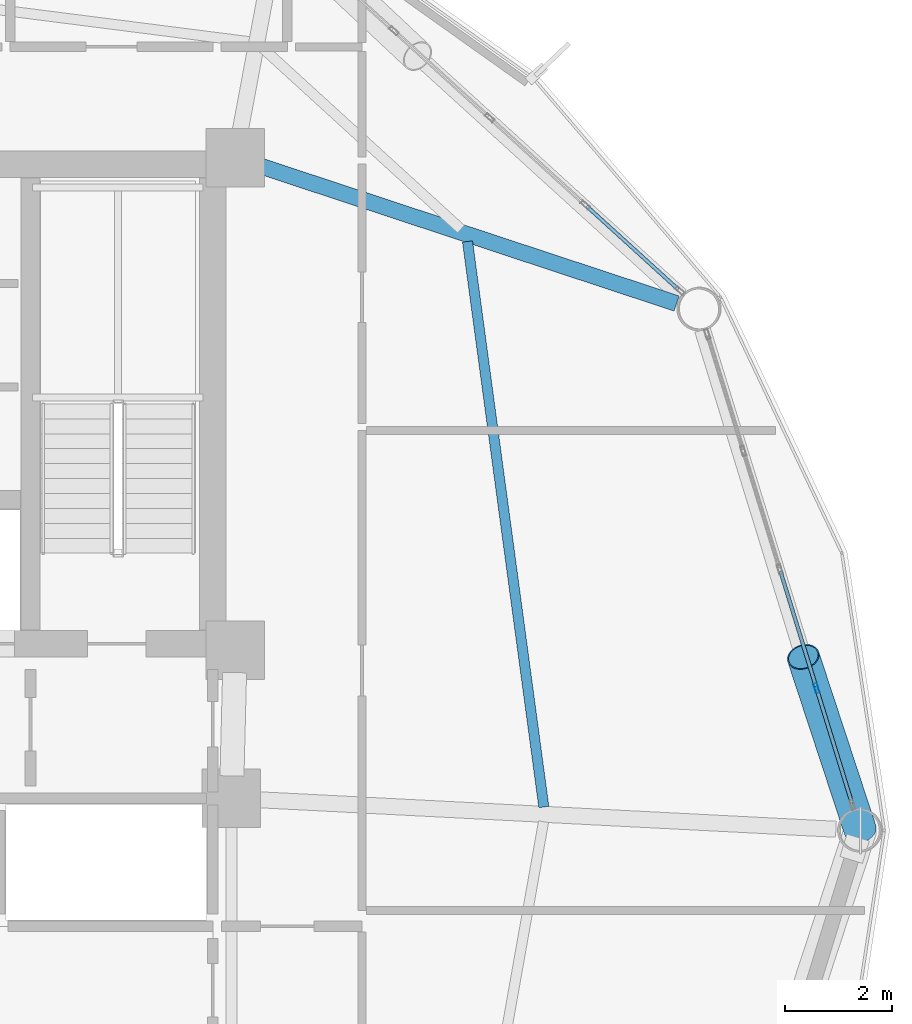
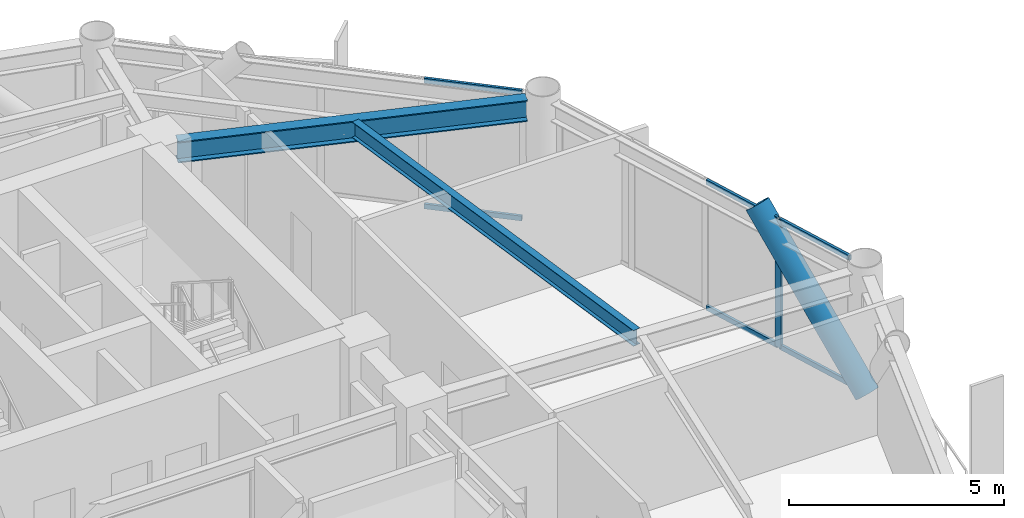
# One storey, part 13 of 25: 8 members, 2 beams, 2 elements without a shape of their own.
"""IFC4 building model written with IfcOpenShell, lengths in metres."""

from ifc_helpers import new_model, si_unit, direction, frame, origin, origin_2d, place, context, subcontext, project, spatial, hollow_rectangle, hollow_circle, i_section, extrude, material, layer, layer_set, material_profile, profile_set, type_object, element, aggregate, save


model = new_model("IFC4")

# Units and contexts
model_context = context("Model", 3, precision=1e-05, world=origin(), true_north=direction((0.0, 1.0)))
body_context = subcontext(model_context, "Body", "Model", "MODEL_VIEW")
ifc_project = project(units=[si_unit("LENGTHUNIT", "METRE"), si_unit("AREAUNIT", "SQUARE_METRE"), si_unit("VOLUMEUNIT", "CUBIC_METRE"), si_unit("PLANEANGLEUNIT", "RADIAN"), si_unit("MASSUNIT", "GRAM", prefix="KILO")], contexts=[model_context])

# Site, building, storey
site_placement = place(None, origin())
site = spatial("IfcSite", under=ifc_project, at=site_placement, CompositionType="ELEMENT")
building_placement = place(site_placement, origin())
building = spatial("IfcBuilding", under=site, at=building_placement, Name="Varnakorn Sky Granary", CompositionType="ELEMENT")
storey_placement = place(building_placement, frame((0.0, 0.0, 99.300048828125)))
storey = spatial("IfcBuildingStorey", under=building, at=storey_placement, Name="L24", CompositionType="ELEMENT", Elevation=99.300048828125)

# Beams
ifc_material_1 = material(Name="Steel S355JR", Category="steel")
ifc_material_profile_1 = material_profile(ifc_material_1, i_section(OverallWidth=0.300048828125, OverallDepth=0.60009765625, WebThickness=0.015380859375, FlangeThickness=0.030029296875, at=origin_2d()), Name="HE 600 B")
ifc_profile_set_1 = profile_set([ifc_material_profile_1], Name="Steel S355JR")
beam_type_1 = type_object("IfcBeamType", Name="BM-RAD-Z2", PredefinedType="BEAM", material=ifc_profile_set_1)
beam_1_placement = place(storey_placement, frame((8.81884765625, 12.48828125, 3.33984375), z_axis=(0.949579281667, -0.313527012918, 0.0), x_axis=(0.313527012918, 0.949579281667, 0.0)))
element("IfcBeam", 1, at=beam_1_placement, inside=storey, type_object=beam_type_1, Name="Radial Floor Girder RG02 L24", PredefinedType="BEAM", context=body_context, shape_type="SweptSolid", body=[
    extrude(i_section(OverallWidth=0.300048828125, OverallDepth=0.60009765625, WebThickness=0.015380859375, FlangeThickness=0.030029296875, at=origin_2d()), origin(), (0.0, 0.0, 1.0), 8.302490234375),
])
ifc_material_profile_2 = material_profile(ifc_material_1, i_section(OverallWidth=0.18994140625, OverallDepth=0.449951171875, WebThickness=0.009521484375, FlangeThickness=0.0146484375, at=origin_2d()), Name="IPE 450")
ifc_profile_set_2 = profile_set([ifc_material_profile_2], Name="Steel S355JR")
beam_type_2 = type_object("IfcBeamType", Name="BM-SEC-Z2", PredefinedType="BEAM", material=ifc_profile_set_2)
beam_2_placement = place(storey_placement, frame((14.2119140625, 0.43798828125, 3.4150390625), z_axis=(-0.133787160084, 0.991010088645, 0.0), x_axis=(-0.991010088645, -0.133787160084, 0.0)))
element("IfcBeam", 2, at=beam_2_placement, inside=storey, type_object=beam_type_2, Name="Secondary Floor Chord Beam MSB01 L24", PredefinedType="BEAM", context=body_context, shape_type="SweptSolid", body=[
    extrude(i_section(OverallWidth=0.18994140625, OverallDepth=0.449951171875, WebThickness=0.009521484375, FlangeThickness=0.0146484375, at=origin_2d()), origin(), (0.0, 0.0, 1.0), 10.706298828125),
])

# Curtain wall, members
ifc_material_2 = material(Name="Anodised Bronze Aluminium Alloy 6063-T6", Category="aluminium")
ifc_layer = layer(ifc_material_2, 0.18994140625, Name="Anodised Bronze Aluminium Alloy 6063-T6")
ifc_layer_set = layer_set([ifc_layer], Name="Anodised Bronze Aluminium Alloy 6063-T6")
curtain_wall_type = type_object("IfcCurtainWallType", Name="CW-FRM-1", PredefinedType="USERDEFINED", material=ifc_layer_set)
curtain_wall_1_placement = place(storey_placement, origin())
curtain_wall_1 = element("IfcCurtainWall", 3, at=curtain_wall_1_placement, inside=storey, type_object=curtain_wall_type, Name="Unitised Curtain Wall CW3 CW-L24-B01", ObjectType="CURTAIN WALL", PredefinedType="USERDEFINED")
ifc_material_profile_3 = material_profile(ifc_material_2, hollow_rectangle(XDim=0.070068359375, YDim=0.18505859375, WallThickness=0.00390625, at=origin_2d()), Name="ALU MULL 70x185")
ifc_profile_set_3 = profile_set([ifc_material_profile_3], Name="Anodised Bronze Aluminium Alloy 6063-T6")
member_type_1 = type_object("IfcMemberType", Name="CW-FRM-1-MULL", PredefinedType="MULLION", material=ifc_profile_set_3)
member_1_placement = place(storey_placement, frame((19.326904296875, 2.66943359375, 0.0), z_axis=(0.0, 0.0, 1.0), x_axis=(0.955604848445, 0.294651274609, 0.0)))
member_1 = element("IfcMember", 4, at=member_1_placement, type_object=member_type_1, Name="CW3 mullion 4", PredefinedType="MULLION", context=body_context, shape_type="SweptSolid", body=[
    extrude(hollow_rectangle(XDim=0.070068359375, YDim=0.18505859375, WallThickness=0.00390625, at=origin_2d()), origin(), (0.0, 0.0, 1.0), 3.639892578125),
])
ifc_material_profile_4 = material_profile(ifc_material_2, hollow_rectangle(XDim=0.070068359375, YDim=0.139892578125, WallThickness=0.00341796875, at=origin_2d()), Name="ALU TRAN 70x140")
ifc_profile_set_4 = profile_set([ifc_material_profile_4], Name="Anodised Bronze Aluminium Alloy 6063-T6")
member_type_2 = type_object("IfcMemberType", Name="CW-FRM-1-TRAN", PredefinedType="USERDEFINED", material=ifc_profile_set_4)
member_2_placement = place(storey_placement, frame((18.651611328125, 4.859619140625, 0.034912109375), z_axis=(0.294663497891, -0.955601079431, 0.0), x_axis=(0.955601079431, 0.294663497891, 0.0)))
member_2 = element("IfcMember", 5, at=member_2_placement, type_object=member_type_2, Name="CW3 transom 3.1", ObjectType="TRANSOM", PredefinedType="USERDEFINED", context=body_context, shape_type="SweptSolid", body=[
    extrude(hollow_rectangle(XDim=0.070068359375, YDim=0.139892578125, WallThickness=0.00341796875, at=origin_2d()), origin(), (0.0, 0.0, 1.0), 2.2568359375),
])
member_3_placement = place(storey_placement, frame((18.651611328125, 4.859619140625, 3.60498046875), z_axis=(0.294663497891, -0.955601079431, 0.0), x_axis=(0.955601079431, 0.294663497891, 0.0)))
member_3 = element("IfcMember", 6, at=member_3_placement, type_object=member_type_2, Name="CW3 transom 3.2", ObjectType="TRANSOM", PredefinedType="USERDEFINED", context=body_context, shape_type="SweptSolid", body=[
    extrude(hollow_rectangle(XDim=0.070068359375, YDim=0.139892578125, WallThickness=0.00341796875, at=origin_2d()), origin(), (0.0, 0.0, 1.0), 2.2568359375),
])
member_4_placement = place(storey_placement, frame((19.337158203125, 2.635986328125, 0.034912109375), z_axis=(0.294688030946, -0.955593514219, 0.0), x_axis=(0.955593514219, 0.294688030946, 0.0)))
member_4 = element("IfcMember", 7, at=member_4_placement, type_object=member_type_2, Name="CW3 transom 4.1", ObjectType="TRANSOM", PredefinedType="USERDEFINED", context=body_context, shape_type="SweptSolid", body=[
    extrude(hollow_rectangle(XDim=0.070068359375, YDim=0.139892578125, WallThickness=0.00341796875, at=origin_2d()), origin(), (0.0, 0.0, 1.0), 2.221923828125),
])
member_5_placement = place(storey_placement, frame((19.337158203125, 2.635986328125, 3.60498046875), z_axis=(0.294688030946, -0.955593514219, 0.0), x_axis=(0.955593514219, 0.294688030946, 0.0)))
member_5 = element("IfcMember", 8, at=member_5_placement, type_object=member_type_2, Name="CW3 transom 4.2", ObjectType="TRANSOM", PredefinedType="USERDEFINED", context=body_context, shape_type="SweptSolid", body=[
    extrude(hollow_rectangle(XDim=0.070068359375, YDim=0.139892578125, WallThickness=0.00341796875, at=origin_2d()), origin(), (0.0, 0.0, 1.0), 2.221923828125),
])
aggregate(curtain_wall_1, [member_1, member_2, member_3, member_4, member_5])

curtain_wall_2_placement = place(storey_placement, origin())
curtain_wall_2 = element("IfcCurtainWall", 9, at=curtain_wall_2_placement, inside=storey, type_object=curtain_wall_type, Name="Unitised Curtain Wall CW3 CW-L24-B02", ObjectType="CURTAIN WALL", PredefinedType="USERDEFINED")
member_6_placement = place(storey_placement, frame((15.01708984375, 11.71044921875, 0.034912109375), z_axis=(0.739683254205, -0.672955186806, 0.0), x_axis=(0.672955186806, 0.739683254205, 0.0)))
member_6 = element("IfcMember", 10, at=member_6_placement, type_object=member_type_2, Name="CW3 transom 4.1", ObjectType="TRANSOM", PredefinedType="USERDEFINED", context=body_context, shape_type="SweptSolid", body=[
    extrude(hollow_rectangle(XDim=0.070068359375, YDim=0.139892578125, WallThickness=0.00341796875, at=origin_2d()), origin(), (0.0, 0.0, 1.0), 2.3232421875),
])
member_7_placement = place(storey_placement, frame((15.01708984375, 11.71044921875, 3.60498046875), z_axis=(0.739683254205, -0.672955186806, 0.0), x_axis=(0.672955186806, 0.739683254205, 0.0)))
member_7 = element("IfcMember", 11, at=member_7_placement, type_object=member_type_2, Name="CW3 transom 4.2", ObjectType="TRANSOM", PredefinedType="USERDEFINED", context=body_context, shape_type="SweptSolid", body=[
    extrude(hollow_rectangle(XDim=0.070068359375, YDim=0.139892578125, WallThickness=0.00341796875, at=origin_2d()), origin(), (0.0, 0.0, 1.0), 2.3232421875),
])
aggregate(curtain_wall_2, [member_6, member_7])

# Member
ifc_material_3 = material(Name="Steel S460M", Category="steel")
ifc_material_profile_5 = material_profile(ifc_material_3, hollow_circle(Radius=0.304931640625, WallThickness=0.022216796875, at=origin_2d()), Name="CHS 610x22")
ifc_profile_set_5 = profile_set([ifc_material_profile_5], Name="Steel S460M")
member_type_3 = type_object("IfcMemberType", Name="MB-DIAG-T1", PredefinedType="BRACE", material=ifc_profile_set_5)
member_8_placement = place(storey_placement, frame((20.14990234375, 0.0, 0.0), z_axis=(-0.209413830721, 0.636986980757, 0.741885054338), x_axis=(-0.949979499636, -0.312312264041, 0.0)))
element("IfcMember", 12, at=member_8_placement, inside=storey, type_object=member_type_3, Name="Perimeter CHS Diagrid Brace DG01 L24", PredefinedType="BRACE", context=body_context, shape_type="SweptSolid", body=[
    extrude(hollow_circle(Radius=0.304931640625, WallThickness=0.022216796875, at=origin_2d()), origin(), (0.0, 0.0, 1.0), 5.108642578125),
])

save(model, "model.ifc")
